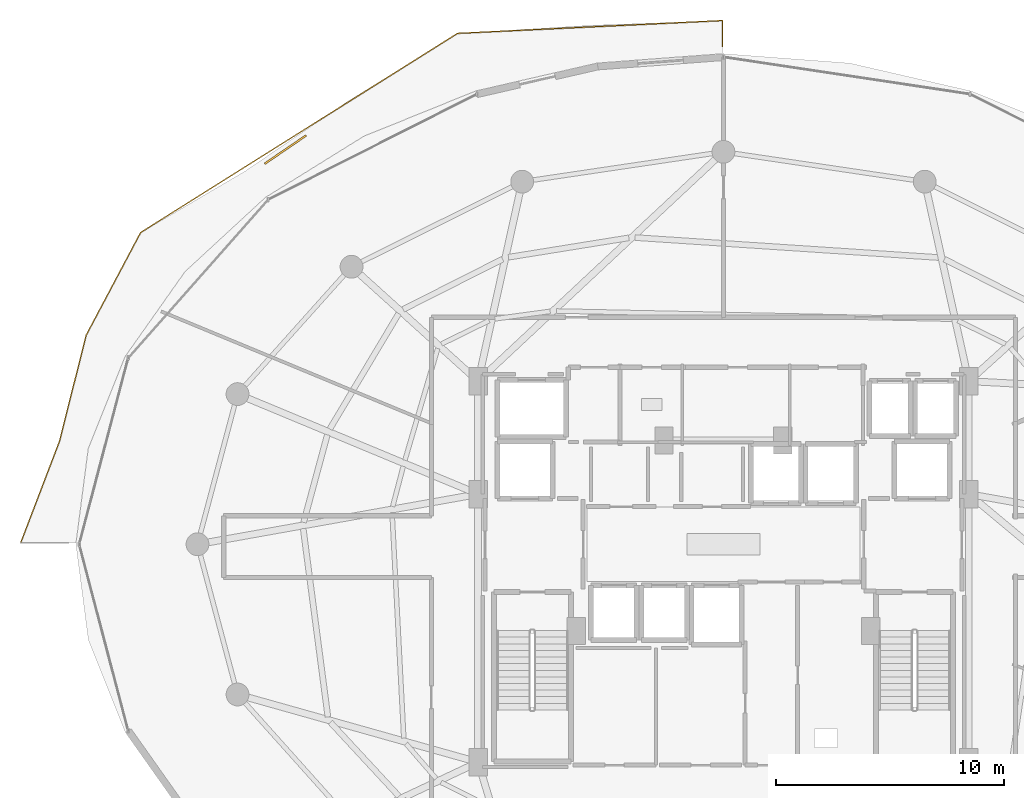
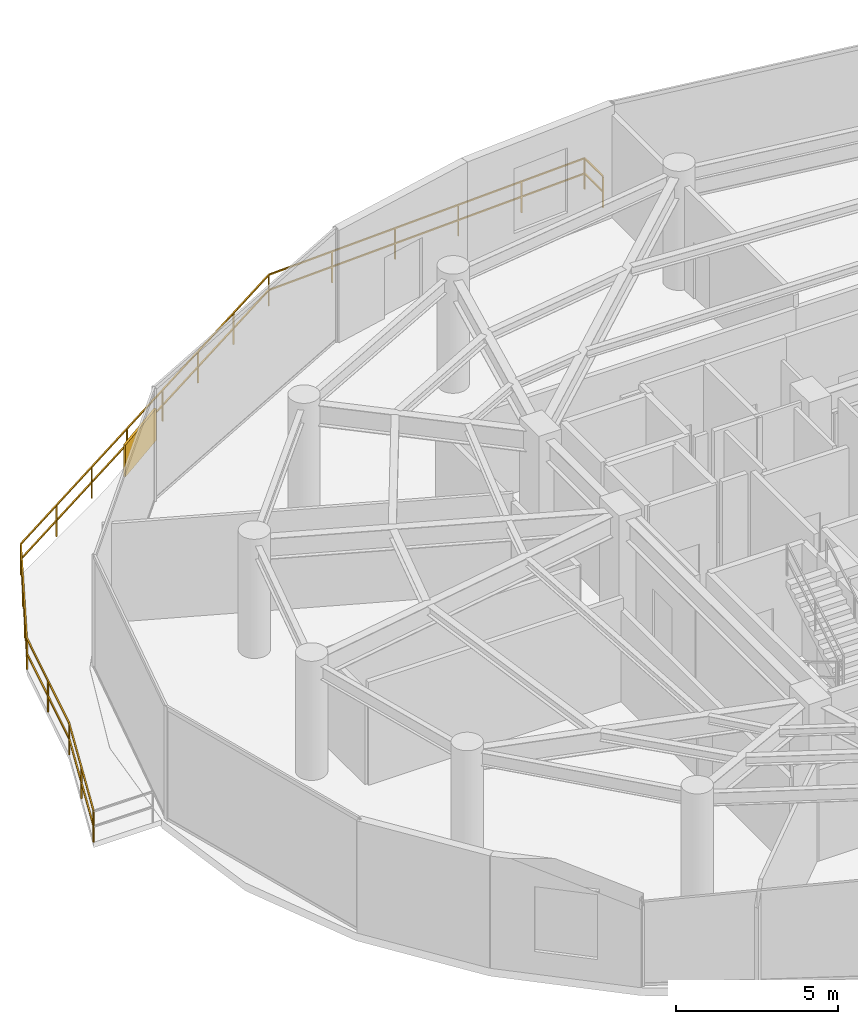
# One storey, part 30 of 31: 1 railing, 1 shading device.
"""IFC4 building model written with IfcOpenShell, lengths in metres."""

import ifcopenshell
import ifcopenshell.guid

model = None  # the IFC model being written
_history = None  # IfcOwnerHistory: only IFC2X3 demands one
_inside = {}  # id of a spatial element -> (the spatial element, [elements in it])
_under = {}  # id of a project, library or spatial element -> (it, [spatial elements below it])
_declared = {}  # id of a project -> (the project, [libraries it declares])
_typed = {}  # id of a type object -> (the type object, [elements of that type])
_made_of = {}  # id of a material, layer set ... -> (it, [elements and type objects made of it])


def new_model(schema):
    """Start an empty IFC model of exactly this schema.

    Asked for "IFC4X3", IfcOpenShell would pick the latest addendum, in which some entities
    have other attributes; the version numbers below select the first issue.
    IFC2X3 requires an IfcOwnerHistory on every rooted entity: one is made here for all.
    """
    global model, _history
    if schema == "IFC4X3":
        model = ifcopenshell.file(schema_version=(4, 3, 0, 0))
    else:
        model = ifcopenshell.file(schema=schema)
    _inside.clear()
    _under.clear()
    _declared.clear()
    _typed.clear()
    _made_of.clear()
    _history = None
    if model.schema == "IFC2X3":
        org = make("IfcOrganization", Name="unknown")
        user = make(
            "IfcPersonAndOrganization",
            ThePerson=make("IfcPerson", FamilyName="unknown"),
            TheOrganization=org,
        )
        app = make(
            "IfcApplication",
            ApplicationDeveloper=org,
            Version="unknown",
            ApplicationFullName="unknown",
            ApplicationIdentifier="unknown",
        )
        _history = make(
            "IfcOwnerHistory",
            OwningUser=user,
            OwningApplication=app,
            ChangeAction="ADDED",
            CreationDate=0,
        )
    return model


def make(cls, **values):
    """One entity of the class cls with the attributes given. An attribute that is None is left unset."""
    return model.create_entity(
        cls, **{name: value for name, value in values.items() if value is not None}
    )


def rooted(cls, **values):
    """An entity with a GlobalId (a new one), such as an element, a storey or a relation."""
    return make(cls, GlobalId=ifcopenshell.guid.new(), OwnerHistory=_history, **values)


def si_unit(unit_type, name, prefix=None):
    """IfcSIUnit, for example si_unit("LENGTHUNIT", "METRE", prefix="MILLI")."""
    return make("IfcSIUnit", UnitType=unit_type, Prefix=prefix, Name=name)


def assignment(units):
    """IfcUnitAssignment: the units of a project."""
    return None if units is None else make("IfcUnitAssignment", Units=units)


def point(xyz):
    """IfcCartesianPoint."""
    return None if xyz is None else make("IfcCartesianPoint", Coordinates=xyz)


def direction(xyz):
    """IfcDirection."""
    return None if xyz is None else make("IfcDirection", DirectionRatios=xyz)


def frame(location, z_axis=None, x_axis=None):
    """IfcAxis2Placement3D, a coordinate frame: its origin and axes. An axis left out is left unset."""
    return make(
        "IfcAxis2Placement3D",
        Location=point(location),
        Axis=direction(z_axis),
        RefDirection=direction(x_axis),
    )


def frame_2d(location, x_axis=None):
    """IfcAxis2Placement2D, a coordinate frame in the plane: its origin and x axis."""
    return make(
        "IfcAxis2Placement2D", Location=point(location), RefDirection=direction(x_axis)
    )


def origin():
    """The frame at (0, 0, 0) with its axes left unset."""
    return frame((0.0, 0.0, 0.0))


def origin_2d():
    """The frame at (0, 0) in the plane with its x axis left unset."""
    return frame_2d((0.0, 0.0))


def place(relative_to, where):
    """IfcLocalPlacement: puts the frame where relative to a parent placement (None: the world)."""
    return make(
        "IfcLocalPlacement", PlacementRelTo=relative_to, RelativePlacement=where
    )


def context(
    kind, dimensions, precision=None, world=None, true_north=None, identifier=None
):
    """IfcGeometricRepresentationContext, for example the 3D "Model" context."""
    return make(
        "IfcGeometricRepresentationContext",
        ContextIdentifier=identifier,
        ContextType=kind,
        CoordinateSpaceDimension=dimensions,
        Precision=precision,
        WorldCoordinateSystem=world,
        TrueNorth=true_north,
    )


def subcontext(parent, identifier, kind, view, scale=None):
    """IfcGeometricRepresentationSubContext, for example "Body" below "Model"."""
    return make(
        "IfcGeometricRepresentationSubContext",
        ContextIdentifier=identifier,
        ContextType=kind,
        ParentContext=parent,
        TargetScale=scale,
        TargetView=view,
    )


def project(units=None, contexts=None):
    """IfcProject with its units and contexts."""
    return rooted(
        "IfcProject",
        Name="project",
        RepresentationContexts=contexts,
        UnitsInContext=assignment(units),
    )


def spatial(cls, under=None, at=None, **own):
    """A site, building, storey or space (cls), placed at a placement, below another one or the project."""
    s = rooted(cls, ObjectPlacement=at, **own)
    if under is not None:
        _under.setdefault(under.id(), (under, []))[1].append(s)
    return s


def profile(cls, at=None, kind="AREA", **sizes):
    """A parametric profile (cls). Its sizes go by their IFC names, for example OverallWidth=200.0."""
    return make(cls, ProfileType=kind, Position=at, **sizes)


def rectangle(**sizes):
    """IfcRectangleProfileDef."""
    return profile("IfcRectangleProfileDef", **sizes)


def extrude(swept, where, along, depth):
    """IfcExtrudedAreaSolid: the profile swept, set in the frame where, extruded along a direction by depth."""
    return make(
        "IfcExtrudedAreaSolid",
        SweptArea=swept,
        Position=where,
        ExtrudedDirection=direction(along),
        Depth=depth,
    )


def shape(context_of_items, identifier, shape_type, items):
    """IfcShapeRepresentation: the items that make up one representation, for example the "Body"."""
    return make(
        "IfcShapeRepresentation",
        ContextOfItems=context_of_items,
        RepresentationIdentifier=identifier,
        RepresentationType=shape_type,
        Items=items,
    )


def material(Name=None, Category=None):
    """IfcMaterial."""
    return make("IfcMaterial", Name=Name, Category=Category)


def made_of(thing, what):
    """Note that an element or type object is made of a material, layer set ...; save() writes the relation."""
    if what is not None:
        _made_of.setdefault(what.id(), (what, []))[1].append(thing)
    return thing


def type_object(cls, material=None, **own):
    """A type object (cls), such as IfcWallType, which elements share."""
    return made_of(rooted(cls, **own), material)


def element(
    cls,
    number,
    at=None,
    inside=None,
    cuts=None,
    type_object=None,
    material=None,
    context=None,
    identifier="Body",
    shape_type=None,
    held_by="IfcProductDefinitionShape",
    body=None,
    shapes=None,
    **own,
):
    """One element of the class cls, such as IfcWall. Its Tag is "e" and its number.

    at: its placement. inside: the storey or other place that contains it. cuts: it is an
    opening in that element (IfcRelVoidsElement). A single representation is given by context,
    identifier, shape_type and body (its items); several are given by shapes. held_by: the class
    of the entity that holds the representations. save() writes the other relations.
    """
    e = rooted(cls, Tag="e%d" % number, ObjectPlacement=at, **own)
    if body is not None:
        shapes = [shape(context, identifier, shape_type, body)]
    if shapes is not None:
        e.Representation = make(held_by, Representations=shapes)
    if inside is not None:
        _inside.setdefault(inside.id(), (inside, []))[1].append(e)
    if cuts is not None:
        rooted(
            "IfcRelVoidsElement", RelatingBuildingElement=cuts, RelatedOpeningElement=e
        )
    if type_object is not None:
        _typed.setdefault(type_object.id(), (type_object, []))[1].append(e)
    return made_of(e, material)


def aggregate(whole, parts):
    """IfcRelAggregates: a whole, such as a stair, and the parts it consists of."""
    return rooted("IfcRelAggregates", RelatingObject=whole, RelatedObjects=parts)


def save(model, path):
    """Write the relations noted so far, then the file.

    IfcRelAggregates (storeys below a building ...), IfcRelContainedInSpatialStructure (elements
    in a storey), IfcRelDefinesByType, IfcRelAssociatesMaterial and IfcRelDeclares: one each for
    every whole, place, type object, material and project.
    """
    for whole, parts in _under.values():
        aggregate(whole, parts)
    for where, things in _inside.values():
        rooted(
            "IfcRelContainedInSpatialStructure",
            RelatedElements=things,
            RelatingStructure=where,
        )
    for kind, things in _typed.values():
        rooted("IfcRelDefinesByType", RelatedObjects=things, RelatingType=kind)
    for what, things in _made_of.values():
        rooted("IfcRelAssociatesMaterial", RelatedObjects=things, RelatingMaterial=what)
    for by, libraries in _declared.values():
        rooted("IfcRelDeclares", RelatingContext=by, RelatedDefinitions=libraries)
    model.write(path)


model = new_model("IFC4")

# Units and contexts
model_context = context("Model", 3, precision=1e-05, world=origin(), true_north=direction((0.0, 1.0)))
body_context = subcontext(model_context, "Body", "Model", "MODEL_VIEW")
ifc_project = project(units=[si_unit("LENGTHUNIT", "METRE"), si_unit("AREAUNIT", "SQUARE_METRE"), si_unit("VOLUMEUNIT", "CUBIC_METRE"), si_unit("PLANEANGLEUNIT", "RADIAN"), si_unit("MASSUNIT", "GRAM", prefix="KILO")], contexts=[model_context])

# Site, building, storey
site_placement = place(None, origin())
site = spatial("IfcSite", under=ifc_project, at=site_placement, CompositionType="ELEMENT")
building_placement = place(site_placement, origin())
building = spatial("IfcBuilding", under=site, at=building_placement, Name="Vorneva Point Tower", CompositionType="ELEMENT")
storey_placement = place(building_placement, frame((0.0, 0.0, 174.60009765625)))
storey = spatial("IfcBuildingStorey", under=building, at=storey_placement, Name="L47", CompositionType="ELEMENT", Elevation=174.60009765625)

# Railing
ifc_material = material(Name="Pale anodised aluminium", Category="aluminium")
railing_type = type_object("IfcRailingType", Name="RL-BAL-1200", PredefinedType="BALUSTRADE", material=ifc_material)
railing_placement = place(storey_placement, frame((37.949951171875, 47.817138671875, 0.0)))
element("IfcRailing", 1, at=railing_placement, inside=storey, type_object=railing_type, Name="L47 Wave Balcony Balustrade NW.2", PredefinedType="BALUSTRADE", context=body_context, shape_type="SweptSolid", body=[
    extrude(rectangle(XDim=0.048095703125, YDim=0.048095703125, at=origin_2d()), frame((0.0, 0.0, 1.17578125), z_axis=(0.0, 1.0, 0.0), x_axis=(-1.0, 0.0, 0.0)), (0.0, 0.0, 1.0), 1.135986328125),
    extrude(rectangle(XDim=0.048095703125, YDim=0.048095703125, at=origin_2d()), frame((0.0, 0.0, 0.60009765625), z_axis=(0.0, 1.0, 0.0), x_axis=(-1.0, 0.0, 0.0)), (0.0, 0.0, 1.0), 1.135986328125),
    extrude(rectangle(XDim=0.048095703125, YDim=0.048095703125, at=origin_2d()), frame((0.0, 1.135986328125, 1.17578125), z_axis=(-0.998832246772, -0.048312967291, 0.0), x_axis=(0.048312967291, -0.998832246772, 0.0)), (0.0, 0.0, 1.0), 11.61767578125),
    extrude(rectangle(XDim=0.048095703125, YDim=0.048095703125, at=origin_2d()), frame((0.0, 1.135986328125, 0.60009765625), z_axis=(-0.998832246772, -0.048312967291, 0.0), x_axis=(0.048312967291, -0.998832246772, 0.0)), (0.0, 0.0, 1.0), 11.61767578125),
    extrude(rectangle(XDim=0.048095703125, YDim=0.048095703125, at=origin_2d()), frame((-11.60400390625, 0.57470703125, 1.17578125), z_axis=(-0.846684820607, -0.532094742084, 0.0), x_axis=(0.532094742084, -0.846684820607, 0.0)), (0.0, 0.0, 1.0), 16.406005859375),
    extrude(rectangle(XDim=0.048095703125, YDim=0.048095703125, at=origin_2d()), frame((-11.60400390625, 0.57470703125, 0.60009765625), z_axis=(-0.846684820607, -0.532094742084, 0.0), x_axis=(0.532094742084, -0.846684820607, 0.0)), (0.0, 0.0, 1.0), 16.406005859375),
    extrude(rectangle(XDim=0.048095703125, YDim=0.048095703125, at=origin_2d()), frame((-25.49462890625, -8.15478515625, 1.17578125), z_axis=(-0.468504330628, -0.883461200157, 0.0), x_axis=(0.883461200157, -0.468504330628, 0.0)), (0.0, 0.0, 1.0), 5.0927734375),
    extrude(rectangle(XDim=0.048095703125, YDim=0.048095703125, at=origin_2d()), frame((-25.49462890625, -8.15478515625, 0.60009765625), z_axis=(-0.468504330628, -0.883461200157, 0.0), x_axis=(0.883461200157, -0.468504330628, 0.0)), (0.0, 0.0, 1.0), 5.0927734375),
    extrude(rectangle(XDim=0.048095703125, YDim=0.048095703125, at=origin_2d()), frame((-27.880615234375, -12.654052734375, 1.17578125), z_axis=(-0.243544631773, -0.969889690808, 0.0), x_axis=(0.969889690808, -0.243544631773, 0.0)), (0.0, 0.0, 1.0), 4.78173828125),
    extrude(rectangle(XDim=0.048095703125, YDim=0.048095703125, at=origin_2d()), frame((-27.880615234375, -12.654052734375, 0.60009765625), z_axis=(-0.243544631773, -0.969889690808, 0.0), x_axis=(0.969889690808, -0.243544631773, 0.0)), (0.0, 0.0, 1.0), 4.78173828125),
    extrude(rectangle(XDim=0.048095703125, YDim=0.048095703125, at=origin_2d()), frame((-29.045166015625, -17.291748046875, 1.17578125), z_axis=(-0.357052473126, -0.934084327796, 0.0), x_axis=(0.934084327796, -0.357052473126, 0.0)), (0.0, 0.0, 1.0), 4.791259765625),
    extrude(rectangle(XDim=0.048095703125, YDim=0.048095703125, at=origin_2d()), frame((-29.045166015625, -17.291748046875, 0.60009765625), z_axis=(-0.357052473126, -0.934084327796, 0.0), x_axis=(0.934084327796, -0.357052473126, 0.0)), (0.0, 0.0, 1.0), 4.791259765625),
    extrude(rectangle(XDim=0.0419921875, YDim=0.0419921875, at=origin_2d()), origin(), (0.0, 0.0, 1.0), 1.15185546875),
    extrude(rectangle(XDim=0.0419921875, YDim=0.0419921875, at=origin_2d()), frame((0.0, 1.135986328125, 0.0)), (0.0, 0.0, 1.0), 1.15185546875),
    extrude(rectangle(XDim=0.0419921875, YDim=0.0419921875, at=origin_2d()), frame((-2.32080078125, 1.023681640625, 0.0)), (0.0, 0.0, 1.0), 1.15185546875),
    extrude(rectangle(XDim=0.0419921875, YDim=0.0419921875, at=origin_2d()), frame((-4.6416015625, 0.911376953125, 0.0)), (0.0, 0.0, 1.0), 1.15185546875),
    extrude(rectangle(XDim=0.0419921875, YDim=0.0419921875, at=origin_2d()), frame((-6.96240234375, 0.79931640625, 0.0)), (0.0, 0.0, 1.0), 1.15185546875),
    extrude(rectangle(XDim=0.0419921875, YDim=0.0419921875, at=origin_2d()), frame((-9.283203125, 0.68701171875, 0.0)), (0.0, 0.0, 1.0), 1.15185546875),
    extrude(rectangle(XDim=0.0419921875, YDim=0.0419921875, at=origin_2d()), frame((-11.60400390625, 0.57470703125, 0.0)), (0.0, 0.0, 1.0), 1.15185546875),
    extrude(rectangle(XDim=0.0419921875, YDim=0.0419921875, at=origin_2d()), frame((-13.58837890625, -0.67236328125, 0.0)), (0.0, 0.0, 1.0), 1.15185546875),
    extrude(rectangle(XDim=0.0419921875, YDim=0.0419921875, at=origin_2d()), frame((-15.57275390625, -1.91943359375, 0.0)), (0.0, 0.0, 1.0), 1.15185546875),
    extrude(rectangle(XDim=0.0419921875, YDim=0.0419921875, at=origin_2d()), frame((-17.55712890625, -3.16650390625, 0.0)), (0.0, 0.0, 1.0), 1.15185546875),
    extrude(rectangle(XDim=0.0419921875, YDim=0.0419921875, at=origin_2d()), frame((-19.54150390625, -4.41357421875, 0.0)), (0.0, 0.0, 1.0), 1.15185546875),
    extrude(rectangle(XDim=0.0419921875, YDim=0.0419921875, at=origin_2d()), frame((-21.52587890625, -5.66064453125, 0.0)), (0.0, 0.0, 1.0), 1.15185546875),
    extrude(rectangle(XDim=0.0419921875, YDim=0.0419921875, at=origin_2d()), frame((-23.51025390625, -6.90771484375, 0.0)), (0.0, 0.0, 1.0), 1.15185546875),
    extrude(rectangle(XDim=0.0419921875, YDim=0.0419921875, at=origin_2d()), frame((-25.49462890625, -8.15478515625, 0.0)), (0.0, 0.0, 1.0), 1.15185546875),
    extrude(rectangle(XDim=0.0419921875, YDim=0.0419921875, at=origin_2d()), frame((-26.2900390625, -9.654541015625, 0.0)), (0.0, 0.0, 1.0), 1.15185546875),
    extrude(rectangle(XDim=0.0419921875, YDim=0.0419921875, at=origin_2d()), frame((-27.085205078125, -11.154296875, 0.0)), (0.0, 0.0, 1.0), 1.15185546875),
    extrude(rectangle(XDim=0.0419921875, YDim=0.0419921875, at=origin_2d()), frame((-27.880615234375, -12.654052734375, 0.0)), (0.0, 0.0, 1.0), 1.15185546875),
    extrude(rectangle(XDim=0.0419921875, YDim=0.0419921875, at=origin_2d()), frame((-28.462890625, -14.972900390625, 0.0)), (0.0, 0.0, 1.0), 1.15185546875),
    extrude(rectangle(XDim=0.0419921875, YDim=0.0419921875, at=origin_2d()), frame((-29.045166015625, -17.291748046875, 0.0)), (0.0, 0.0, 1.0), 1.15185546875),
    extrude(rectangle(XDim=0.0419921875, YDim=0.0419921875, at=origin_2d()), frame((-29.900390625, -19.529296875, 0.0)), (0.0, 0.0, 1.0), 1.15185546875),
    extrude(rectangle(XDim=0.0419921875, YDim=0.0419921875, at=origin_2d()), frame((-30.755859375, -21.76708984375, 0.0)), (0.0, 0.0, 1.0), 1.15185546875),
])

# Shading device
shading_device_type = type_object("IfcShadingDeviceType", Name="SHD-JAL-1200", PredefinedType="JALOUSIE", material=ifc_material)
shading_device_placement = place(storey_placement, frame((18.801513671875, 43.296142578125, -0.02001953125), z_axis=(0.0, 0.0, 1.0), x_axis=(-0.826098294496, -0.563526048938, 0.0)))
element("IfcShadingDevice", 2, at=shading_device_placement, inside=storey, type_object=shading_device_type, Name="L47 Balcony Vertical-Greenery Planter Screen NW.2", PredefinedType="JALOUSIE", context=body_context, shape_type="SweptSolid", body=[
    extrude(rectangle(XDim=2.199951171875, YDim=0.080078125, at=origin_2d()), origin(), (0.0, 0.0, 1.0), 1.199951171875),
])

save(model, "model.ifc")
